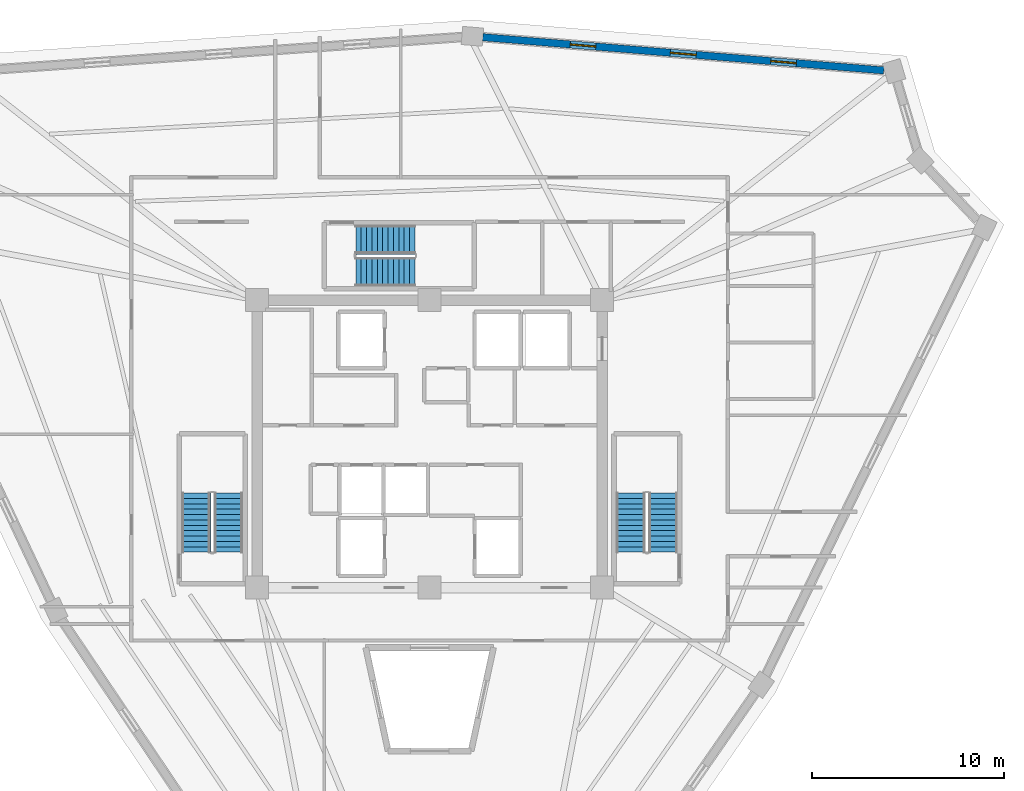
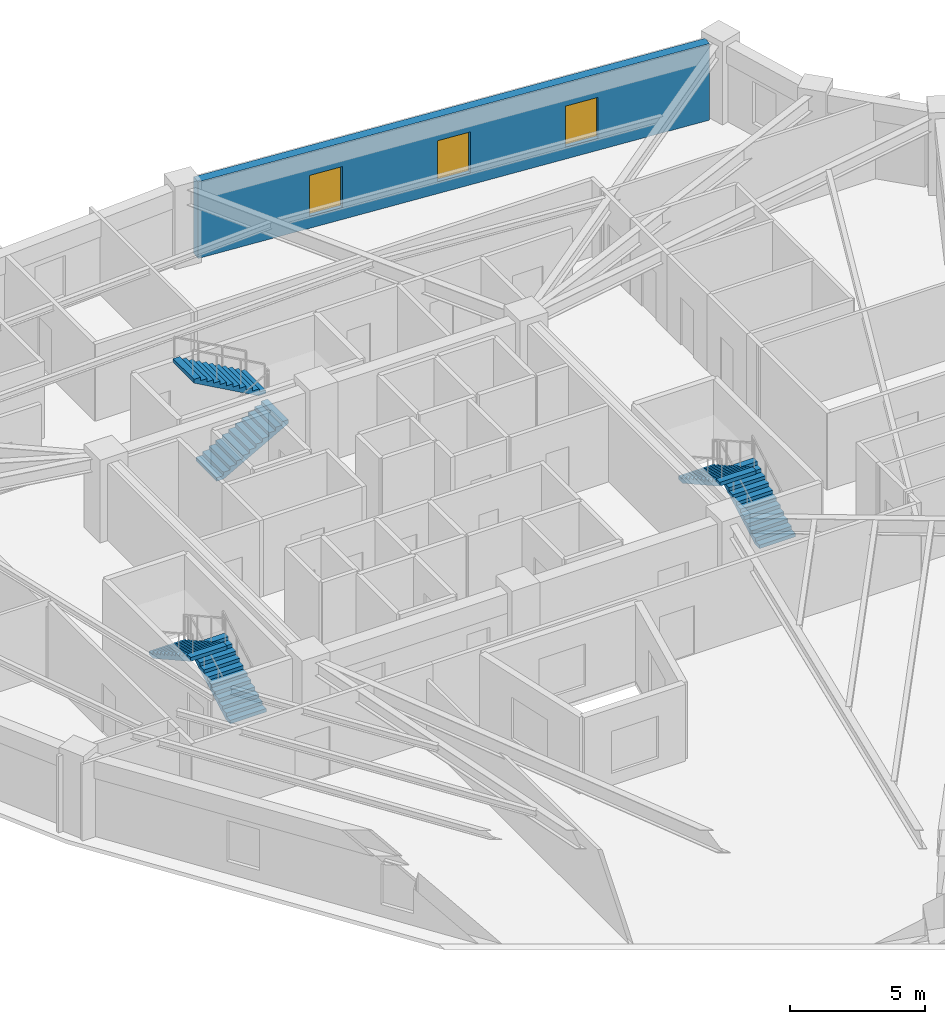
# One storey, part 7 of 8: 6 stair flights, 3 windows, 1 wall, 3 openings, 3 elements without a shape of their own.
"""IFC4 building model written with IfcOpenShell, lengths in metres."""

import ifcopenshell
import ifcopenshell.guid

model = None  # the IFC model being written
_history = None  # IfcOwnerHistory: only IFC2X3 demands one
_inside = {}  # id of a spatial element -> (the spatial element, [elements in it])
_under = {}  # id of a project, library or spatial element -> (it, [spatial elements below it])
_declared = {}  # id of a project -> (the project, [libraries it declares])
_typed = {}  # id of a type object -> (the type object, [elements of that type])
_made_of = {}  # id of a material, layer set ... -> (it, [elements and type objects made of it])


def new_model(schema):
    """Start an empty IFC model of exactly this schema.

    Asked for "IFC4X3", IfcOpenShell would pick the latest addendum, in which some entities
    have other attributes; the version numbers below select the first issue.
    IFC2X3 requires an IfcOwnerHistory on every rooted entity: one is made here for all.
    """
    global model, _history
    if schema == "IFC4X3":
        model = ifcopenshell.file(schema_version=(4, 3, 0, 0))
    else:
        model = ifcopenshell.file(schema=schema)
    _inside.clear()
    _under.clear()
    _declared.clear()
    _typed.clear()
    _made_of.clear()
    _history = None
    if model.schema == "IFC2X3":
        org = make("IfcOrganization", Name="unknown")
        user = make(
            "IfcPersonAndOrganization",
            ThePerson=make("IfcPerson", FamilyName="unknown"),
            TheOrganization=org,
        )
        app = make(
            "IfcApplication",
            ApplicationDeveloper=org,
            Version="unknown",
            ApplicationFullName="unknown",
            ApplicationIdentifier="unknown",
        )
        _history = make(
            "IfcOwnerHistory",
            OwningUser=user,
            OwningApplication=app,
            ChangeAction="ADDED",
            CreationDate=0,
        )
    return model


def make(cls, **values):
    """One entity of the class cls with the attributes given. An attribute that is None is left unset."""
    return model.create_entity(
        cls, **{name: value for name, value in values.items() if value is not None}
    )


def rooted(cls, **values):
    """An entity with a GlobalId (a new one), such as an element, a storey or a relation."""
    return make(cls, GlobalId=ifcopenshell.guid.new(), OwnerHistory=_history, **values)


def si_unit(unit_type, name, prefix=None):
    """IfcSIUnit, for example si_unit("LENGTHUNIT", "METRE", prefix="MILLI")."""
    return make("IfcSIUnit", UnitType=unit_type, Prefix=prefix, Name=name)


def assignment(units):
    """IfcUnitAssignment: the units of a project."""
    return None if units is None else make("IfcUnitAssignment", Units=units)


def point(xyz):
    """IfcCartesianPoint."""
    return None if xyz is None else make("IfcCartesianPoint", Coordinates=xyz)


def direction(xyz):
    """IfcDirection."""
    return None if xyz is None else make("IfcDirection", DirectionRatios=xyz)


def frame(location, z_axis=None, x_axis=None):
    """IfcAxis2Placement3D, a coordinate frame: its origin and axes. An axis left out is left unset."""
    return make(
        "IfcAxis2Placement3D",
        Location=point(location),
        Axis=direction(z_axis),
        RefDirection=direction(x_axis),
    )


def frame_2d(location, x_axis=None):
    """IfcAxis2Placement2D, a coordinate frame in the plane: its origin and x axis."""
    return make(
        "IfcAxis2Placement2D", Location=point(location), RefDirection=direction(x_axis)
    )


def origin():
    """The frame at (0, 0, 0) with its axes left unset."""
    return frame((0.0, 0.0, 0.0))


def place(relative_to, where):
    """IfcLocalPlacement: puts the frame where relative to a parent placement (None: the world)."""
    return make(
        "IfcLocalPlacement", PlacementRelTo=relative_to, RelativePlacement=where
    )


def context(
    kind, dimensions, precision=None, world=None, true_north=None, identifier=None
):
    """IfcGeometricRepresentationContext, for example the 3D "Model" context."""
    return make(
        "IfcGeometricRepresentationContext",
        ContextIdentifier=identifier,
        ContextType=kind,
        CoordinateSpaceDimension=dimensions,
        Precision=precision,
        WorldCoordinateSystem=world,
        TrueNorth=true_north,
    )


def subcontext(parent, identifier, kind, view, scale=None):
    """IfcGeometricRepresentationSubContext, for example "Body" below "Model"."""
    return make(
        "IfcGeometricRepresentationSubContext",
        ContextIdentifier=identifier,
        ContextType=kind,
        ParentContext=parent,
        TargetScale=scale,
        TargetView=view,
    )


def project(units=None, contexts=None):
    """IfcProject with its units and contexts."""
    return rooted(
        "IfcProject",
        Name="project",
        RepresentationContexts=contexts,
        UnitsInContext=assignment(units),
    )


def spatial(cls, under=None, at=None, **own):
    """A site, building, storey or space (cls), placed at a placement, below another one or the project."""
    s = rooted(cls, ObjectPlacement=at, **own)
    if under is not None:
        _under.setdefault(under.id(), (under, []))[1].append(s)
    return s


def polyline(points):
    """IfcPolyline through the points."""
    return make("IfcPolyline", Points=[point(p) for p in points])


def profile(cls, at=None, kind="AREA", **sizes):
    """A parametric profile (cls). Its sizes go by their IFC names, for example OverallWidth=200.0."""
    return make(cls, ProfileType=kind, Position=at, **sizes)


def rectangle(**sizes):
    """IfcRectangleProfileDef."""
    return profile("IfcRectangleProfileDef", **sizes)


def outline(outer, holes=None, kind="AREA"):
    """IfcArbitraryClosedProfileDef: a profile drawn as a closed curve; with holes, ...WithVoids."""
    if holes is None:
        return make("IfcArbitraryClosedProfileDef", ProfileType=kind, OuterCurve=outer)
    return make(
        "IfcArbitraryProfileDefWithVoids",
        ProfileType=kind,
        OuterCurve=outer,
        InnerCurves=holes,
    )


def extrude(swept, where, along, depth):
    """IfcExtrudedAreaSolid: the profile swept, set in the frame where, extruded along a direction by depth."""
    return make(
        "IfcExtrudedAreaSolid",
        SweptArea=swept,
        Position=where,
        ExtrudedDirection=direction(along),
        Depth=depth,
    )


def shape(context_of_items, identifier, shape_type, items):
    """IfcShapeRepresentation: the items that make up one representation, for example the "Body"."""
    return make(
        "IfcShapeRepresentation",
        ContextOfItems=context_of_items,
        RepresentationIdentifier=identifier,
        RepresentationType=shape_type,
        Items=items,
    )


def source(mapping_origin, context_of_items, identifier, shape_type, items):
    """IfcRepresentationMap: a shape defined once, which mapped items show again and again."""
    return make(
        "IfcRepresentationMap",
        MappingOrigin=mapping_origin,
        MappedRepresentation=shape(context_of_items, identifier, shape_type, items),
    )


def transform(
    local_origin,
    x_axis=None,
    y_axis=None,
    z_axis=None,
    scale=None,
    scale2=None,
    scale3=None,
    uniform=True,
):
    """IfcCartesianTransformationOperator3D, or its non-uniform kind. x_axis, y_axis, z_axis: its Axis1, 2, 3."""
    if uniform:
        return make(
            "IfcCartesianTransformationOperator3D",
            Axis1=direction(x_axis),
            Axis2=direction(y_axis),
            LocalOrigin=point(local_origin),
            Scale=scale,
            Axis3=direction(z_axis),
        )
    return make(
        "IfcCartesianTransformationOperator3DnonUniform",
        Axis1=direction(x_axis),
        Axis2=direction(y_axis),
        LocalOrigin=point(local_origin),
        Scale=scale,
        Axis3=direction(z_axis),
        Scale2=scale2,
        Scale3=scale3,
    )


def mapped(mapping_source, mapping_target):
    """IfcMappedItem: shows the shape of a source again, moved by a transform."""
    return make(
        "IfcMappedItem", MappingSource=mapping_source, MappingTarget=mapping_target
    )


def material(Name=None, Category=None):
    """IfcMaterial."""
    return make("IfcMaterial", Name=Name, Category=Category)


def layer(
    of_material, thickness, ventilated=None, Name=None, Category=None, Priority=None
):
    """IfcMaterialLayer: one layer of a wall or slab, of a material (None: an air gap)."""
    return make(
        "IfcMaterialLayer",
        Material=of_material,
        LayerThickness=thickness,
        IsVentilated=ventilated,
        Name=Name,
        Category=Category,
        Priority=Priority,
    )


def layer_set(layers, Name=None):
    """IfcMaterialLayerSet."""
    return make("IfcMaterialLayerSet", MaterialLayers=layers, LayerSetName=Name)


def made_of(thing, what):
    """Note that an element or type object is made of a material, layer set ...; save() writes the relation."""
    if what is not None:
        _made_of.setdefault(what.id(), (what, []))[1].append(thing)
    return thing


def type_object(cls, material=None, **own):
    """A type object (cls), such as IfcWallType, which elements share."""
    return made_of(rooted(cls, **own), material)


def element(
    cls,
    number,
    at=None,
    inside=None,
    cuts=None,
    type_object=None,
    material=None,
    context=None,
    identifier="Body",
    shape_type=None,
    held_by="IfcProductDefinitionShape",
    body=None,
    shapes=None,
    **own,
):
    """One element of the class cls, such as IfcWall. Its Tag is "e" and its number.

    at: its placement. inside: the storey or other place that contains it. cuts: it is an
    opening in that element (IfcRelVoidsElement). A single representation is given by context,
    identifier, shape_type and body (its items); several are given by shapes. held_by: the class
    of the entity that holds the representations. save() writes the other relations.
    """
    e = rooted(cls, Tag="e%d" % number, ObjectPlacement=at, **own)
    if body is not None:
        shapes = [shape(context, identifier, shape_type, body)]
    if shapes is not None:
        e.Representation = make(held_by, Representations=shapes)
    if inside is not None:
        _inside.setdefault(inside.id(), (inside, []))[1].append(e)
    if cuts is not None:
        rooted(
            "IfcRelVoidsElement", RelatingBuildingElement=cuts, RelatedOpeningElement=e
        )
    if type_object is not None:
        _typed.setdefault(type_object.id(), (type_object, []))[1].append(e)
    return made_of(e, material)


def fill(opening, filler):
    """IfcRelFillsElement: the door or window that sits in an opening."""
    return rooted(
        "IfcRelFillsElement",
        RelatingOpeningElement=opening,
        RelatedBuildingElement=filler,
    )


def aggregate(whole, parts):
    """IfcRelAggregates: a whole, such as a stair, and the parts it consists of."""
    return rooted("IfcRelAggregates", RelatingObject=whole, RelatedObjects=parts)


def save(model, path):
    """Write the relations noted so far, then the file.

    IfcRelAggregates (storeys below a building ...), IfcRelContainedInSpatialStructure (elements
    in a storey), IfcRelDefinesByType, IfcRelAssociatesMaterial and IfcRelDeclares: one each for
    every whole, place, type object, material and project.
    """
    for whole, parts in _under.values():
        aggregate(whole, parts)
    for where, things in _inside.values():
        rooted(
            "IfcRelContainedInSpatialStructure",
            RelatedElements=things,
            RelatingStructure=where,
        )
    for kind, things in _typed.values():
        rooted("IfcRelDefinesByType", RelatedObjects=things, RelatingType=kind)
    for what, things in _made_of.values():
        rooted("IfcRelAssociatesMaterial", RelatedObjects=things, RelatingMaterial=what)
    for by, libraries in _declared.values():
        rooted("IfcRelDeclares", RelatingContext=by, RelatedDefinitions=libraries)
    model.write(path)


model = new_model("IFC4")

# Units and contexts
model_context = context("Model", 3, precision=1e-05, world=origin(), true_north=direction((0.0, 1.0)))
body_context = subcontext(model_context, "Body", "Model", "MODEL_VIEW")
ifc_project = project(units=[si_unit("LENGTHUNIT", "METRE"), si_unit("AREAUNIT", "SQUARE_METRE"), si_unit("VOLUMEUNIT", "CUBIC_METRE"), si_unit("PLANEANGLEUNIT", "RADIAN"), si_unit("MASSUNIT", "GRAM", prefix="KILO")], contexts=[model_context])

# Site, building, storey
site_placement = place(None, origin())
site = spatial("IfcSite", under=ifc_project, at=site_placement, CompositionType="ELEMENT")
building_placement = place(site_placement, origin())
building = spatial("IfcBuilding", under=site, at=building_placement, Name="Liaohun Quay Tower", CompositionType="ELEMENT")
storey_placement = place(building_placement, frame((0.0, 0.0, 347.25)))
storey = spatial("IfcBuildingStorey", under=building, at=storey_placement, Name="L90", CompositionType="ELEMENT", Elevation=347.25)

# Wall, openings, windows
ifc_material_1 = material(Name="Precast concrete C50 insulated sandwich", Category="concrete")
ifc_layer = layer(ifc_material_1, 0.3798828125, Name="Precast concrete C50 insulated sandwich", Category="concrete")
ifc_layer_set = layer_set([ifc_layer], Name="Precast concrete C50 insulated sandwich")
wall_type = type_object("IfcWallType", Name="WAL-EXT-Z34", PredefinedType="SOLIDWALL", material=ifc_layer_set)
wall_placement = place(storey_placement, frame((83.697021484375, 73.48291015625, 0.0), z_axis=(0.0, 0.0, 1.0), x_axis=(-0.996579754875, 0.082636506293, 0.0)))
wall = element("IfcWall", 1, at=wall_placement, inside=storey, type_object=wall_type, Name="L90 Brutalist Precast Pier Wall 06", PredefinedType="SOLIDWALL", context=body_context, shape_type="SweptSolid", body=[
    extrude(rectangle(XDim=20.996826171875, YDim=0.3798828125, at=frame_2d((10.49853515625, 0.0))), origin(), (0.0, 0.0, 1.0), 3.469970703125),
])
shared_shape_1 = source(origin(), body_context, "Body", "SweptSolid", [
    extrude(rectangle(XDim=1.35009765625, YDim=1.85009765625, at=frame_2d((0.675048828125, 0.925048828125))), frame((0.0, 0.199951171875, 0.0), z_axis=(0.0, -1.0, 0.0), x_axis=(1.0, 0.0, 0.0)), (0.0, 0.0, 1.0), 0.39990234375),
])
opening_1_placement = place(wall_placement, frame((4.573974609375, 0.0, 0.550048828125)))
opening_1 = element("IfcOpeningElement", 2, at=opening_1_placement, cuts=wall, Name="Opening W04", PredefinedType="OPENING", context=body_context, shape_type="MappedRepresentation", body=[
    mapped(shared_shape_1, transform((0.0, 0.0, 0.0), x_axis=(1.0, 0.0, 0.0), y_axis=(0.0, 1.0, 0.0), z_axis=(0.0, 0.0, 1.0), scale=1.0)),
])
opening_2_placement = place(wall_placement, frame((9.822998046875, 0.0, 0.550048828125)))
opening_2 = element("IfcOpeningElement", 3, at=opening_2_placement, cuts=wall, Name="Opening W04", PredefinedType="OPENING", context=body_context, shape_type="MappedRepresentation", body=[
    mapped(shared_shape_1, transform((0.0, 0.0, 0.0), x_axis=(1.0, 0.0, 0.0), y_axis=(0.0, 1.0, 0.0), z_axis=(0.0, 0.0, 1.0), scale=1.0)),
])
opening_3_placement = place(wall_placement, frame((15.072998046875, 0.0, 0.550048828125)))
opening_3 = element("IfcOpeningElement", 4, at=opening_3_placement, cuts=wall, Name="Opening W04", PredefinedType="OPENING", context=body_context, shape_type="MappedRepresentation", body=[
    mapped(shared_shape_1, transform((0.0, 0.0, 0.0), x_axis=(1.0, 0.0, 0.0), y_axis=(0.0, 1.0, 0.0), z_axis=(0.0, 0.0, 1.0), scale=1.0)),
])
ifc_material_2 = material(Name="Triple Low-E argon glazing in thermally broken aluminium", Category="aluminium")
window_type = type_object("IfcWindowType", Name="WIN-PUN-Z4", PartitioningType="SINGLE_PANEL", PredefinedType="WINDOW", material=ifc_material_2)
shared_shape_2 = source(origin(), body_context, "Body", "SweptSolid", [
    extrude(rectangle(XDim=1.35009765625, YDim=1.85009765625, at=frame_2d((0.675048828125, 0.925048828125))), frame((0.0, 0.030029296875, 0.0), z_axis=(0.0, -1.0, 0.0), x_axis=(1.0, 0.0, 0.0)), (0.0, 0.0, 1.0), 0.06005859375),
])
window_1_placement = place(opening_1_placement, origin())
window_1 = element("IfcWindow", 5, at=window_1_placement, inside=storey, type_object=window_type, Name="L90 Recessed Cold-Climate Punched Window 06-1", OverallHeight=1.85009765625, OverallWidth=1.35009765625, PartitioningType="SINGLE_PANEL", PredefinedType="WINDOW", context=body_context, shape_type="MappedRepresentation", body=[
    mapped(shared_shape_2, transform((0.0, 0.0, 0.0), x_axis=(1.0, 0.0, 0.0), y_axis=(0.0, 1.0, 0.0), z_axis=(0.0, 0.0, 1.0), scale=1.0)),
])
fill(opening_1, window_1)
window_2_placement = place(opening_2_placement, origin())
window_2 = element("IfcWindow", 6, at=window_2_placement, inside=storey, type_object=window_type, Name="L90 Recessed Cold-Climate Punched Window 06-2", OverallHeight=1.85009765625, OverallWidth=1.35009765625, PartitioningType="SINGLE_PANEL", PredefinedType="WINDOW", context=body_context, shape_type="MappedRepresentation", body=[
    mapped(shared_shape_2, transform((0.0, 0.0, 0.0), x_axis=(1.0, 0.0, 0.0), y_axis=(0.0, 1.0, 0.0), z_axis=(0.0, 0.0, 1.0), scale=1.0)),
])
fill(opening_2, window_2)
window_3_placement = place(opening_3_placement, origin())
window_3 = element("IfcWindow", 7, at=window_3_placement, inside=storey, type_object=window_type, Name="L90 Recessed Cold-Climate Punched Window 06-3", OverallHeight=1.85009765625, OverallWidth=1.35009765625, PartitioningType="SINGLE_PANEL", PredefinedType="WINDOW", context=body_context, shape_type="MappedRepresentation", body=[
    mapped(shared_shape_2, transform((0.0, 0.0, 0.0), x_axis=(1.0, 0.0, 0.0), y_axis=(0.0, 1.0, 0.0), z_axis=(0.0, 0.0, 1.0), scale=1.0)),
])
fill(opening_3, window_3)

# Stair, stair flights
ifc_material_3 = material(Name="Concrete C45", Category="concrete")
stair_type = type_object("IfcStairType", Name="STR-CORE-OFF", PredefinedType="HALF_TURN_STAIR", material=ifc_material_3)
stair_1_placement = place(storey_placement, origin())
stair_1 = element("IfcStair", 8, at=stair_1_placement, inside=storey, type_object=stair_type, Name="L90 Smokeproof Core Exit Stair ST-1", PredefinedType="HALF_TURN_STAIR")
stair_flight_type = type_object("IfcStairFlightType", Name="FLT-CORE-155", PredefinedType="STRAIGHT", material=ifc_material_3)
stair_flight_1_placement = place(storey_placement, frame((49.5048828125, 48.35009765625, 0.0), z_axis=(0.0, 0.0, 1.0), x_axis=(0.0, 1.0, 0.0)))
stair_flight_1 = element("IfcStairFlight", 9, at=stair_flight_1_placement, type_object=stair_flight_type, Name="ST-1 flight 1", NumberOfRisers=12, NumberOfTreads=11, PredefinedType="STRAIGHT", RiserHeight=0.15625, TreadLength=0.28, context=body_context, shape_type="SweptSolid", body=[
    extrude(outline(polyline([(0.0, 0.0), (0.0, 0.15625), (0.280029296875, 0.15625), (0.280029296875, 0.3125), (0.56005859375, 0.3125), (0.56005859375, 0.46875), (0.840087890625, 0.46875), (0.840087890625, 0.625), (1.1201171875, 0.625), (1.1201171875, 0.78125), (1.39990234375, 0.78125), (1.39990234375, 0.9375), (1.679931640625, 0.9375), (1.679931640625, 1.09375), (1.9599609375, 1.09375), (1.9599609375, 1.25), (2.239990234375, 1.25), (2.239990234375, 1.40625), (2.52001953125, 1.40625), (2.52001953125, 1.5625), (2.800048828125, 1.5625), (2.800048828125, 1.71875), (3.080078125, 1.71875), (3.080078125, 1.875), (3.080078125, 1.547119140625), (0.3076171875, 0.0), (0.0, 0.0)])), frame((0.0, 0.77490234375, 0.0), z_axis=(0.0, -1.0, 0.0), x_axis=(1.0, 0.0, 0.0)), (0.0, 0.0, 1.0), 1.550048828125),
])
stair_flight_2_placement = place(storey_placement, frame((47.81494140625, 51.429931640625, 1.875), z_axis=(0.0, 0.0, 1.0), x_axis=(0.0, -1.0, 0.0)))
stair_flight_2 = element("IfcStairFlight", 10, at=stair_flight_2_placement, type_object=stair_flight_type, Name="ST-1 flight 2", NumberOfRisers=12, NumberOfTreads=11, PredefinedType="STRAIGHT", RiserHeight=0.15625, TreadLength=0.28, context=body_context, shape_type="SweptSolid", body=[
    extrude(outline(polyline([(0.0, 0.0), (0.0, 0.15625), (0.280029296875, 0.15625), (0.280029296875, 0.3125), (0.56005859375, 0.3125), (0.56005859375, 0.46875), (0.840087890625, 0.46875), (0.840087890625, 0.625), (1.1201171875, 0.625), (1.1201171875, 0.78125), (1.39990234375, 0.78125), (1.39990234375, 0.9375), (1.679931640625, 0.9375), (1.679931640625, 1.09375), (1.9599609375, 1.09375), (1.9599609375, 1.25), (2.239990234375, 1.25), (2.239990234375, 1.40625), (2.52001953125, 1.40625), (2.52001953125, 1.5625), (2.800048828125, 1.5625), (2.800048828125, 1.71875), (3.080078125, 1.71875), (3.080078125, 1.875), (3.080078125, 1.547119140625), (0.3076171875, 0.0), (0.0, 0.0)])), frame((0.0, 0.77490234375, 0.0), z_axis=(0.0, -1.0, 0.0), x_axis=(1.0, 0.0, 0.0)), (0.0, 0.0, 1.0), 1.550048828125),
])
aggregate(stair_1, [stair_flight_1, stair_flight_2])

stair_2_placement = place(storey_placement, origin())
stair_2 = element("IfcStair", 11, at=stair_2_placement, inside=storey, type_object=stair_type, Name="L90 Smokeproof Core Exit Stair ST-2", PredefinedType="HALF_TURN_STAIR")
stair_flight_3_placement = place(storey_placement, frame((72.18505859375, 48.35009765625, 0.0), z_axis=(0.0, 0.0, 1.0), x_axis=(0.0, 1.0, 0.0)))
stair_flight_3 = element("IfcStairFlight", 12, at=stair_flight_3_placement, type_object=stair_flight_type, Name="ST-2 flight 1", NumberOfRisers=12, NumberOfTreads=11, PredefinedType="STRAIGHT", RiserHeight=0.15625, TreadLength=0.28, context=body_context, shape_type="SweptSolid", body=[
    extrude(outline(polyline([(0.0, 0.0), (0.0, 0.15625), (0.280029296875, 0.15625), (0.280029296875, 0.3125), (0.56005859375, 0.3125), (0.56005859375, 0.46875), (0.840087890625, 0.46875), (0.840087890625, 0.625), (1.1201171875, 0.625), (1.1201171875, 0.78125), (1.39990234375, 0.78125), (1.39990234375, 0.9375), (1.679931640625, 0.9375), (1.679931640625, 1.09375), (1.9599609375, 1.09375), (1.9599609375, 1.25), (2.239990234375, 1.25), (2.239990234375, 1.40625), (2.52001953125, 1.40625), (2.52001953125, 1.5625), (2.800048828125, 1.5625), (2.800048828125, 1.71875), (3.080078125, 1.71875), (3.080078125, 1.875), (3.080078125, 1.547119140625), (0.3076171875, 0.0), (0.0, 0.0)])), frame((0.0, 0.77490234375, 0.0), z_axis=(0.0, -1.0, 0.0), x_axis=(1.0, 0.0, 0.0)), (0.0, 0.0, 1.0), 1.550048828125),
])
stair_flight_4_placement = place(storey_placement, frame((70.4951171875, 51.429931640625, 1.875), z_axis=(0.0, 0.0, 1.0), x_axis=(0.0, -1.0, 0.0)))
stair_flight_4 = element("IfcStairFlight", 13, at=stair_flight_4_placement, type_object=stair_flight_type, Name="ST-2 flight 2", NumberOfRisers=12, NumberOfTreads=11, PredefinedType="STRAIGHT", RiserHeight=0.15625, TreadLength=0.28, context=body_context, shape_type="SweptSolid", body=[
    extrude(outline(polyline([(0.0, 0.0), (0.0, 0.15625), (0.280029296875, 0.15625), (0.280029296875, 0.3125), (0.56005859375, 0.3125), (0.56005859375, 0.46875), (0.840087890625, 0.46875), (0.840087890625, 0.625), (1.1201171875, 0.625), (1.1201171875, 0.78125), (1.39990234375, 0.78125), (1.39990234375, 0.9375), (1.679931640625, 0.9375), (1.679931640625, 1.09375), (1.9599609375, 1.09375), (1.9599609375, 1.25), (2.239990234375, 1.25), (2.239990234375, 1.40625), (2.52001953125, 1.40625), (2.52001953125, 1.5625), (2.800048828125, 1.5625), (2.800048828125, 1.71875), (3.080078125, 1.71875), (3.080078125, 1.875), (3.080078125, 1.547119140625), (0.3076171875, 0.0), (0.0, 0.0)])), frame((0.0, 0.77490234375, 0.0), z_axis=(0.0, -1.0, 0.0), x_axis=(1.0, 0.0, 0.0)), (0.0, 0.0, 1.0), 1.550048828125),
])
aggregate(stair_2, [stair_flight_3, stair_flight_4])

stair_3_placement = place(storey_placement, origin())
stair_3 = element("IfcStair", 14, at=stair_3_placement, inside=storey, type_object=stair_type, Name="L90 Smokeproof Core Exit Stair ST-3", PredefinedType="HALF_TURN_STAIR")
stair_flight_5_placement = place(storey_placement, frame((56.14990234375, 62.97509765625, 0.0), z_axis=(0.0, 0.0, 1.0), x_axis=(1.0, 0.0, 0.0)))
stair_flight_5 = element("IfcStairFlight", 15, at=stair_flight_5_placement, type_object=stair_flight_type, Name="ST-3 flight 1", NumberOfRisers=12, NumberOfTreads=11, PredefinedType="STRAIGHT", RiserHeight=0.15625, TreadLength=0.28, context=body_context, shape_type="SweptSolid", body=[
    extrude(outline(polyline([(0.0, 0.0), (0.0, 0.15625), (0.280029296875, 0.15625), (0.280029296875, 0.3125), (0.56005859375, 0.3125), (0.56005859375, 0.46875), (0.840087890625, 0.46875), (0.840087890625, 0.625), (1.1201171875, 0.625), (1.1201171875, 0.78125), (1.39990234375, 0.78125), (1.39990234375, 0.9375), (1.679931640625, 0.9375), (1.679931640625, 1.09375), (1.9599609375, 1.09375), (1.9599609375, 1.25), (2.239990234375, 1.25), (2.239990234375, 1.40625), (2.52001953125, 1.40625), (2.52001953125, 1.5625), (2.800048828125, 1.5625), (2.800048828125, 1.71875), (3.080078125, 1.71875), (3.080078125, 1.875), (3.080078125, 1.547119140625), (0.3076171875, 0.0), (0.0, 0.0)])), frame((0.0, 0.77490234375, 0.0), z_axis=(0.0, -1.0, 0.0), x_axis=(1.0, 0.0, 0.0)), (0.0, 0.0, 1.0), 1.550048828125),
])
stair_flight_6_placement = place(storey_placement, frame((59.22998046875, 64.6650390625, 1.875), z_axis=(0.0, 0.0, 1.0), x_axis=(-1.0, 0.0, 0.0)))
stair_flight_6 = element("IfcStairFlight", 16, at=stair_flight_6_placement, type_object=stair_flight_type, Name="ST-3 flight 2", NumberOfRisers=12, NumberOfTreads=11, PredefinedType="STRAIGHT", RiserHeight=0.15625, TreadLength=0.28, context=body_context, shape_type="SweptSolid", body=[
    extrude(outline(polyline([(0.0, 0.0), (0.0, 0.15625), (0.280029296875, 0.15625), (0.280029296875, 0.3125), (0.56005859375, 0.3125), (0.56005859375, 0.46875), (0.840087890625, 0.46875), (0.840087890625, 0.625), (1.1201171875, 0.625), (1.1201171875, 0.78125), (1.39990234375, 0.78125), (1.39990234375, 0.9375), (1.679931640625, 0.9375), (1.679931640625, 1.09375), (1.9599609375, 1.09375), (1.9599609375, 1.25), (2.239990234375, 1.25), (2.239990234375, 1.40625), (2.52001953125, 1.40625), (2.52001953125, 1.5625), (2.800048828125, 1.5625), (2.800048828125, 1.71875), (3.080078125, 1.71875), (3.080078125, 1.875), (3.080078125, 1.547119140625), (0.3076171875, 0.0), (0.0, 0.0)])), frame((0.0, 0.77490234375, 0.0), z_axis=(0.0, -1.0, 0.0), x_axis=(1.0, 0.0, 0.0)), (0.0, 0.0, 1.0), 1.550048828125),
])
aggregate(stair_3, [stair_flight_5, stair_flight_6])

save(model, "model.ifc")
